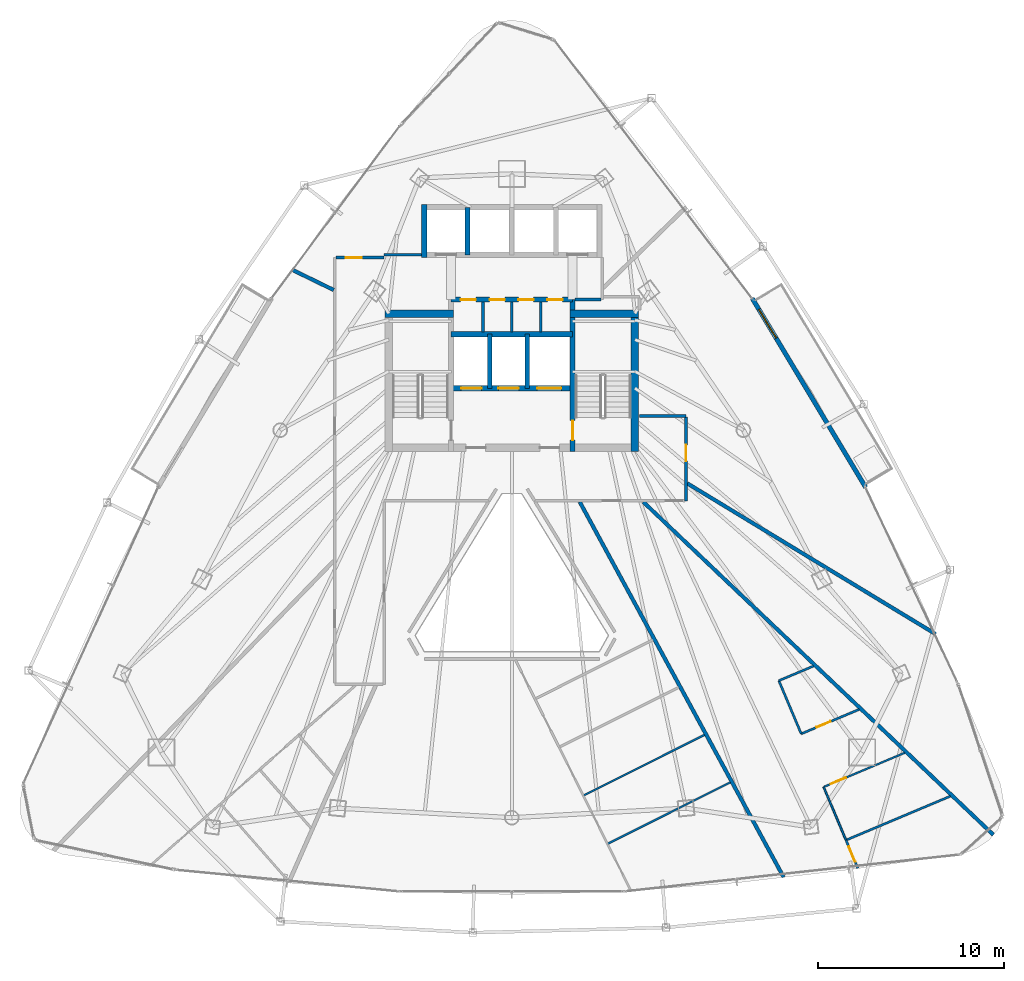
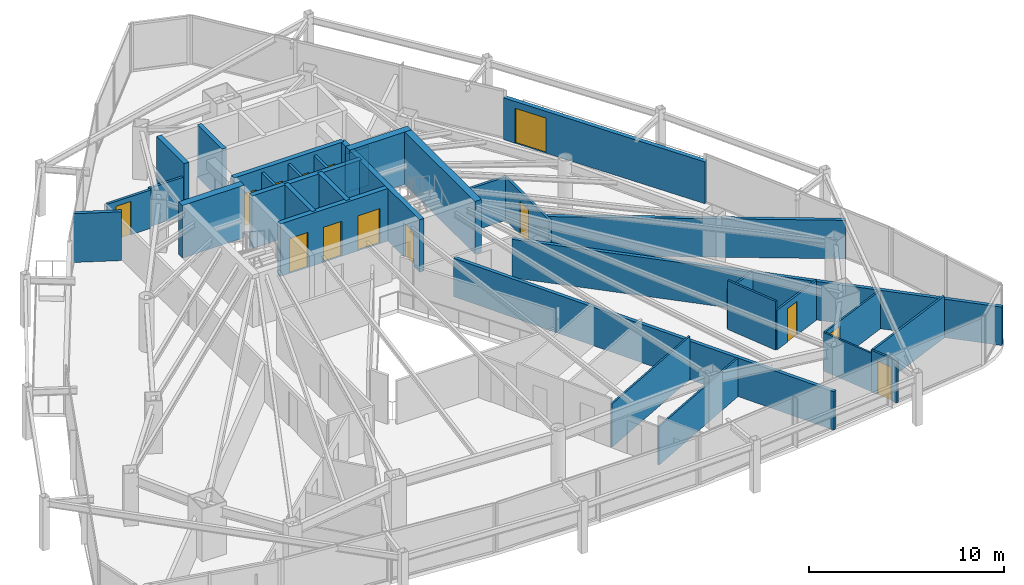
# One storey, part 27 of 31: 33 walls, 14 doors, 14 openings.
"""IFC4 building model written with IfcOpenShell, lengths in metres."""

from ifc_helpers import new_model, si_unit, direction, frame, frame_2d, origin, place, context, subcontext, project, spatial, rectangle, extrude, material, layer, layer_set, type_object, element, fill, save


model = new_model("IFC4")

# Units and contexts
model_context = context("Model", 3, precision=1e-05, world=origin(), true_north=direction((0.0, 1.0)))
body_context = subcontext(model_context, "Body", "Model", "MODEL_VIEW")
ifc_project = project(units=[si_unit("LENGTHUNIT", "METRE"), si_unit("AREAUNIT", "SQUARE_METRE"), si_unit("VOLUMEUNIT", "CUBIC_METRE"), si_unit("PLANEANGLEUNIT", "RADIAN"), si_unit("MASSUNIT", "GRAM", prefix="KILO")], contexts=[model_context])

# Site, building, storey
site_placement = place(None, origin())
site = spatial("IfcSite", under=ifc_project, at=site_placement, CompositionType="ELEMENT")
building_placement = place(site_placement, origin())
building = spatial("IfcBuilding", under=site, at=building_placement, Name="Orvanel Arch Residences", CompositionType="ELEMENT")
storey_placement = place(building_placement, frame((0.0, 0.0, 106.699951171875)))
storey = spatial("IfcBuildingStorey", under=building, at=storey_placement, Name="L29", CompositionType="ELEMENT", Elevation=106.699951171875)

# Wall, opening, door
ifc_material_1 = material(Name="Precast concrete N50 (50 MPa)", Category="concrete")
ifc_layer_1 = layer(ifc_material_1, 0.239990234375)
ifc_layer_set_1 = layer_set([ifc_layer_1], Name="Precast concrete N50 (50 MPa)")
wall_type_1 = type_object("IfcWallType", Name="EW-BAL-240", PredefinedType="SOLIDWALL", material=ifc_layer_set_1)
wall_1_placement = place(storey_placement, frame((51.9970703125, 24.56103515625, 0.0), z_axis=(0.0, 0.0, 1.0), x_axis=(-0.514362369366, 0.857572943242, 0.0)))
wall_1 = element("IfcWall", 1, at=wall_1_placement, inside=storey, type_object=wall_type_1, Name="L29 Balcony Threshold Wall Face 3", PredefinedType="SOLIDWALL", context=body_context, shape_type="SweptSolid", body=[
    extrude(rectangle(XDim=11.84375, YDim=0.239990234375, at=frame_2d((5.921875, 0.0))), origin(), (0.0, 0.0, 1.0), 2.6240234375),
])
opening_1_placement = place(wall_1_placement, frame((9.345947265625, 0.0, 0.0)))
opening_1 = element("IfcOpeningElement", 2, at=opening_1_placement, cuts=wall_1, Name="Opening DB-180", PredefinedType="OPENING", context=body_context, shape_type="SweptSolid", body=[
    extrude(rectangle(XDim=1.800048828125, YDim=2.199951171875, at=frame_2d((0.89990234375, 1.10009765625))), frame((0.0, 0.1298828125, 0.0), z_axis=(0.0, -1.0, 0.0), x_axis=(1.0, 0.0, 0.0)), (0.0, 0.0, 1.0), 0.260009765625),
])
ifc_material_2 = material(Name="Bronze-anodised aluminium AA6063-T6", Category="aluminium")
door_type_1 = type_object("IfcDoorType", Name="DR-BAL-1800", OperationType="NOTDEFINED", PredefinedType="DOOR", material=ifc_material_2)
door_1_placement = place(opening_1_placement, origin())
door_1 = element("IfcDoor", 3, at=door_1_placement, inside=storey, type_object=door_type_1, Name="DR-L29-BAL-F3 L29 Planted Balcony Access Door Face 3", OperationType="SINGLE_SWING_LEFT", OverallHeight=2.199951171875, OverallWidth=1.800048828125, PredefinedType="DOOR", context=body_context, shape_type="SweptSolid", body=[
    extrude(rectangle(XDim=1.800048828125, YDim=2.199951171875, at=frame_2d((0.89990234375, 1.10009765625))), frame((0.0, 0.02490234375, 0.0), z_axis=(0.0, -1.0, 0.0), x_axis=(1.0, 0.0, 0.0)), (0.0, 0.0, 1.0), 0.050048828125),
])
fill(opening_1, door_1)

# Walls
ifc_material_3 = material(Name="Concrete N50 (50 MPa)", Category="concrete")
ifc_layer_2 = layer(ifc_material_3, 0.25)
ifc_layer_set_2 = layer_set([ifc_layer_2], Name="Concrete N50 (50 MPa)")
wall_type_2 = type_object("IfcWallType", Name="SW-CORE-250", PredefinedType="SHEAR", material=ifc_layer_set_2)
for number, where, z_axis, x_axis, name in (
    (4, (31.824951171875, 29.889892578125, 0.0), (0.0, 0.0, 1.0), (0.0, 1.0, 0.0), "L29 Emergency Lift Inter-Shaft Wall F12"),
    (5, (33.824951171875, 29.889892578125, 0.0), (0.0, 0.0, 1.0), (0.0, 1.0, 0.0), "L29 Emergency Lift Inter-Shaft Wall F2G"),
):
    element("IfcWall", number, at=place(storey_placement, frame(where, z_axis=z_axis, x_axis=x_axis)), inside=storey, type_object=wall_type_2, Name=name, PredefinedType="SHEAR", context=body_context, shape_type="SweptSolid", body=[
        extrude(rectangle(XDim=2.900146484375, YDim=0.25, at=frame_2d((1.4501953125, 0.0))), origin(), (0.0, 0.0, 1.0), 3.300048828125),
    ])
wall_2_placement = place(storey_placement, frame((30.625, 37.050048828125, 0.0), z_axis=(0.0, 0.0, 1.0), x_axis=(0.0, 1.0, 0.0)))
element("IfcWall", 6, at=wall_2_placement, inside=storey, type_object=wall_type_2, Name="L29 Passenger Lift Inter-Shaft Wall P35", PredefinedType="SHEAR", context=body_context, shape_type="SweptSolid", body=[
    extrude(rectangle(XDim=2.550048828125, YDim=0.25, at=frame_2d((1.27490234375, 0.0))), origin(), (0.0, 0.0, 1.0), 3.300048828125),
])

# Wall, opening, door
ifc_material_4 = material(Name="Concrete S65 (65 MPa)", Category="concrete")
ifc_layer_3 = layer(ifc_material_4, 0.280029296875)
ifc_layer_set_3 = layer_set([ifc_layer_3], Name="Concrete S65 (65 MPa)")
wall_type_3 = type_object("IfcWallType", Name="SW-CORE-280", PredefinedType="SHEAR", material=ifc_layer_set_3)
wall_3_placement = place(storey_placement, frame((36.260009765625, 26.5, 0.0), z_axis=(0.0, 0.0, 1.0), x_axis=(0.0, 1.0, 0.0)))
wall_3 = element("IfcWall", 7, at=wall_3_placement, inside=storey, type_object=wall_type_3, Name="L29 East Inner Core Spine Shear Wall", PredefinedType="SHEAR", context=body_context, shape_type="SweptSolid", body=[
    extrude(rectangle(XDim=8.14990234375, YDim=0.280029296875, at=frame_2d((4.074951171875, 0.0))), origin(), (0.0, 0.0, 1.0), 3.300048828125),
])
opening_2_placement = place(wall_3_placement, frame((0.60009765625, 0.0, 0.0)))
opening_2 = element("IfcOpeningElement", 8, at=opening_2_placement, cuts=wall_3, Name="Opening DF-120", PredefinedType="OPENING", context=body_context, shape_type="SweptSolid", body=[
    extrude(rectangle(XDim=1.050048828125, YDim=2.14990234375, at=frame_2d((0.52490234375, 1.074951171875))), frame((0.0, 0.14990234375, 0.0), z_axis=(0.0, -1.0, 0.0), x_axis=(1.0, 0.0, 0.0)), (0.0, 0.0, 1.0), 0.300048828125),
])
ifc_material_5 = material(Name="Galvanised steel fire-resisting door assembly", Category="steel")
door_type_2 = type_object("IfcDoorType", Name="DR-FD120-1050", OperationType="NOTDEFINED", PredefinedType="DOOR", material=ifc_material_5)
door_2_placement = place(opening_2_placement, origin())
door_2 = element("IfcDoor", 9, at=door_2_placement, inside=storey, type_object=door_type_2, Name="DR-L29-ST2 L29 Stair 2 Fire Door", OperationType="SINGLE_SWING_RIGHT", OverallHeight=2.14990234375, OverallWidth=1.050048828125, PredefinedType="DOOR", context=body_context, shape_type="SweptSolid", body=[
    extrude(rectangle(XDim=1.050048828125, YDim=2.14990234375, at=frame_2d((0.52490234375, 1.074951171875))), frame((0.0, 0.02490234375, 0.0), z_axis=(0.0, -1.0, 0.0), x_axis=(1.0, 0.0, 0.0)), (0.0, 0.0, 1.0), 0.050048828125),
])
fill(opening_2, door_2)

# Wall, openings, doors
wall_4_placement = place(storey_placement, frame((36.260009765625, 29.889892578125, 0.0), z_axis=(0.0, 0.0, 1.0), x_axis=(-1.0, 0.0, 0.0)))
wall_4 = element("IfcWall", 10, at=wall_4_placement, inside=storey, type_object=wall_type_3, Name="L29 Emergency Lift Front Core Shear Wall", PredefinedType="SHEAR", context=body_context, shape_type="SweptSolid", body=[
    extrude(rectangle(XDim=6.52001953125, YDim=0.280029296875, at=frame_2d((3.260009765625, 0.0))), origin(), (0.0, 0.0, 1.0), 3.300048828125),
])
opening_3_placement = place(wall_4_placement, frame((4.875, 0.0, 0.0)))
opening_3 = element("IfcOpeningElement", 11, at=opening_3_placement, cuts=wall_4, Name="Opening LD-110", PredefinedType="OPENING", context=body_context, shape_type="SweptSolid", body=[
    extrude(rectangle(XDim=1.10009765625, YDim=2.199951171875, at=frame_2d((0.550048828125, 1.10009765625))), frame((0.0, 0.14990234375, 0.0), z_axis=(0.0, -1.0, 0.0), x_axis=(1.0, 0.0, 0.0)), (0.0, 0.0, 1.0), 0.300048828125),
])
opening_4_placement = place(wall_4_placement, frame((2.875, 0.0, 0.0)))
opening_4 = element("IfcOpeningElement", 12, at=opening_4_placement, cuts=wall_4, Name="Opening LD-110", PredefinedType="OPENING", context=body_context, shape_type="SweptSolid", body=[
    extrude(rectangle(XDim=1.10009765625, YDim=2.199951171875, at=frame_2d((0.550048828125, 1.10009765625))), frame((0.0, 0.14990234375, 0.0), z_axis=(0.0, -1.0, 0.0), x_axis=(1.0, 0.0, 0.0)), (0.0, 0.0, 1.0), 0.300048828125),
])
opening_5_placement = place(wall_4_placement, frame((0.60009765625, 0.0, 0.0)))
opening_5 = element("IfcOpeningElement", 13, at=opening_5_placement, cuts=wall_4, Name="Opening LD-130", PredefinedType="OPENING", context=body_context, shape_type="SweptSolid", body=[
    extrude(rectangle(XDim=1.300048828125, YDim=2.199951171875, at=frame_2d((0.64990234375, 1.10009765625))), frame((0.0, 0.14990234375, 0.0), z_axis=(0.0, -1.0, 0.0), x_axis=(1.0, 0.0, 0.0)), (0.0, 0.0, 1.0), 0.300048828125),
])
door_type_3 = type_object("IfcDoorType", Name="DR-LFT-1100", OperationType="NOTDEFINED", PredefinedType="DOOR", material=ifc_material_5)
door_3_placement = place(opening_3_placement, origin())
door_3 = element("IfcDoor", 14, at=door_3_placement, inside=storey, type_object=door_type_3, Name="LD-F1-L29 L29 Lift F1 Sliding Landing Door", OperationType="DOUBLE_DOOR_SLIDING", OverallHeight=2.199951171875, OverallWidth=1.10009765625, PredefinedType="DOOR", context=body_context, shape_type="SweptSolid", body=[
    extrude(rectangle(XDim=1.10009765625, YDim=2.199951171875, at=frame_2d((0.550048828125, 1.10009765625))), frame((0.0, 0.02490234375, 0.0), z_axis=(0.0, -1.0, 0.0), x_axis=(1.0, 0.0, 0.0)), (0.0, 0.0, 1.0), 0.050048828125),
])
fill(opening_3, door_3)
door_4_placement = place(opening_4_placement, origin())
door_4 = element("IfcDoor", 15, at=door_4_placement, inside=storey, type_object=door_type_3, Name="LD-F2-L29 L29 Lift F2 Sliding Landing Door", OperationType="DOUBLE_DOOR_SLIDING", OverallHeight=2.199951171875, OverallWidth=1.10009765625, PredefinedType="DOOR", context=body_context, shape_type="SweptSolid", body=[
    extrude(rectangle(XDim=1.10009765625, YDim=2.199951171875, at=frame_2d((0.550048828125, 1.10009765625))), frame((0.0, 0.02490234375, 0.0), z_axis=(0.0, -1.0, 0.0), x_axis=(1.0, 0.0, 0.0)), (0.0, 0.0, 1.0), 0.050048828125),
])
fill(opening_4, door_4)
door_type_4 = type_object("IfcDoorType", Name="DR-LFT-1300", OperationType="NOTDEFINED", PredefinedType="DOOR", material=ifc_material_5)
door_5_placement = place(opening_5_placement, origin())
door_5 = element("IfcDoor", 16, at=door_5_placement, inside=storey, type_object=door_type_4, Name="LD-G1-L29 L29 Lift G1 Sliding Landing Door", OperationType="DOUBLE_DOOR_SLIDING", OverallHeight=2.199951171875, OverallWidth=1.300048828125, PredefinedType="DOOR", context=body_context, shape_type="SweptSolid", body=[
    extrude(rectangle(XDim=1.300048828125, YDim=2.199951171875, at=frame_2d((0.64990234375, 1.10009765625))), frame((0.0, 0.02490234375, 0.0), z_axis=(0.0, -1.0, 0.0), x_axis=(1.0, 0.0, 0.0)), (0.0, 0.0, 1.0), 0.050048828125),
])
fill(opening_5, door_5)

# Wall
wall_5_placement = place(storey_placement, frame((29.739990234375, 32.7900390625, 0.0), z_axis=(0.0, 0.0, 1.0), x_axis=(1.0, 0.0, 0.0)))
element("IfcWall", 17, at=wall_5_placement, inside=storey, type_object=wall_type_3, Name="L29 Emergency Lift Back Core Shear Wall", PredefinedType="SHEAR", context=body_context, shape_type="SweptSolid", body=[
    extrude(rectangle(XDim=6.52001953125, YDim=0.280029296875, at=frame_2d((3.260009765625, 0.0))), origin(), (0.0, 0.0, 1.0), 3.300048828125),
])

# Wall, openings, doors
wall_6_placement = place(storey_placement, frame((29.739990234375, 34.64990234375, 0.0), z_axis=(0.0, 0.0, 1.0), x_axis=(1.0, 0.0, 0.0)))
wall_6 = element("IfcWall", 18, at=wall_6_placement, inside=storey, type_object=wall_type_3, Name="L29 Core Service Band North Shear Wall", PredefinedType="SHEAR", context=body_context, shape_type="SweptSolid", body=[
    extrude(rectangle(XDim=6.52001953125, YDim=0.280029296875, at=frame_2d((3.260009765625, 0.0))), origin(), (0.0, 0.0, 1.0), 3.300048828125),
])
opening_6_placement = place(wall_6_placement, frame((0.514892578125, 0.0, 0.0)))
opening_6 = element("IfcOpeningElement", 19, at=opening_6_placement, cuts=wall_6, Name="Opening DS-082", PredefinedType="OPENING", context=body_context, shape_type="SweptSolid", body=[
    extrude(rectangle(XDim=0.820068359375, YDim=2.10009765625, at=frame_2d((0.41015625, 1.050048828125))), frame((0.0, 0.14990234375, 0.0), z_axis=(0.0, -1.0, 0.0), x_axis=(1.0, 0.0, 0.0)), (0.0, 0.0, 1.0), 0.300048828125),
])
opening_7_placement = place(wall_6_placement, frame((2.06494140625, 0.0, 0.0)))
opening_7 = element("IfcOpeningElement", 20, at=opening_7_placement, cuts=wall_6, Name="Opening DS-082", PredefinedType="OPENING", context=body_context, shape_type="SweptSolid", body=[
    extrude(rectangle(XDim=0.820068359375, YDim=2.10009765625, at=frame_2d((0.41015625, 1.050048828125))), frame((0.0, 0.14990234375, 0.0), z_axis=(0.0, -1.0, 0.0), x_axis=(1.0, 0.0, 0.0)), (0.0, 0.0, 1.0), 0.300048828125),
])
opening_8_placement = place(wall_6_placement, frame((3.614990234375, 0.0, 0.0)))
opening_8 = element("IfcOpeningElement", 21, at=opening_8_placement, cuts=wall_6, Name="Opening DS-082", PredefinedType="OPENING", context=body_context, shape_type="SweptSolid", body=[
    extrude(rectangle(XDim=0.820068359375, YDim=2.10009765625, at=frame_2d((0.41015625, 1.050048828125))), frame((0.0, 0.14990234375, 0.0), z_axis=(0.0, -1.0, 0.0), x_axis=(1.0, 0.0, 0.0)), (0.0, 0.0, 1.0), 0.300048828125),
])
opening_9_placement = place(wall_6_placement, frame((5.1650390625, 0.0, 0.0)))
opening_9 = element("IfcOpeningElement", 22, at=opening_9_placement, cuts=wall_6, Name="Opening DS-082", PredefinedType="OPENING", context=body_context, shape_type="SweptSolid", body=[
    extrude(rectangle(XDim=0.820068359375, YDim=2.10009765625, at=frame_2d((0.41015625, 1.050048828125))), frame((0.0, 0.14990234375, 0.0), z_axis=(0.0, -1.0, 0.0), x_axis=(1.0, 0.0, 0.0)), (0.0, 0.0, 1.0), 0.300048828125),
])
door_type_5 = type_object("IfcDoorType", Name="DR-SVC-820", OperationType="NOTDEFINED", PredefinedType="DOOR", material=ifc_material_5)
door_6_placement = place(opening_6_placement, origin())
door_6 = element("IfcDoor", 23, at=door_6_placement, inside=storey, type_object=door_type_5, Name="DR-L29-CSVC-1 L29 Linen Store Door", OperationType="SINGLE_SWING_LEFT", OverallHeight=2.10009765625, OverallWidth=0.820068359375, PredefinedType="DOOR", context=body_context, shape_type="SweptSolid", body=[
    extrude(rectangle(XDim=0.820068359375, YDim=2.10009765625, at=frame_2d((0.41015625, 1.050048828125))), frame((0.0, 0.02490234375, 0.0), z_axis=(0.0, -1.0, 0.0), x_axis=(1.0, 0.0, 0.0)), (0.0, 0.0, 1.0), 0.050048828125),
])
fill(opening_6, door_6)
door_7_placement = place(opening_7_placement, origin())
door_7 = element("IfcDoor", 24, at=door_7_placement, inside=storey, type_object=door_type_5, Name="DR-L29-CSVC-2 L29 Cleaner's Store Door", OperationType="SINGLE_SWING_LEFT", OverallHeight=2.10009765625, OverallWidth=0.820068359375, PredefinedType="DOOR", context=body_context, shape_type="SweptSolid", body=[
    extrude(rectangle(XDim=0.820068359375, YDim=2.10009765625, at=frame_2d((0.41015625, 1.050048828125))), frame((0.0, 0.02490234375, 0.0), z_axis=(0.0, -1.0, 0.0), x_axis=(1.0, 0.0, 0.0)), (0.0, 0.0, 1.0), 0.050048828125),
])
fill(opening_7, door_7)
door_8_placement = place(opening_8_placement, origin())
door_8 = element("IfcDoor", 25, at=door_8_placement, inside=storey, type_object=door_type_5, Name="DR-L29-CSVC-3 L29 Electrical Meter Store Door", OperationType="SINGLE_SWING_LEFT", OverallHeight=2.10009765625, OverallWidth=0.820068359375, PredefinedType="DOOR", context=body_context, shape_type="SweptSolid", body=[
    extrude(rectangle(XDim=0.820068359375, YDim=2.10009765625, at=frame_2d((0.41015625, 1.050048828125))), frame((0.0, 0.02490234375, 0.0), z_axis=(0.0, -1.0, 0.0), x_axis=(1.0, 0.0, 0.0)), (0.0, 0.0, 1.0), 0.050048828125),
])
fill(opening_8, door_8)
door_9_placement = place(opening_9_placement, origin())
door_9 = element("IfcDoor", 26, at=door_9_placement, inside=storey, type_object=door_type_5, Name="DR-L29-CSVC-4 L29 Housekeeping Supply Store Door", OperationType="SINGLE_SWING_LEFT", OverallHeight=2.10009765625, OverallWidth=0.820068359375, PredefinedType="DOOR", context=body_context, shape_type="SweptSolid", body=[
    extrude(rectangle(XDim=0.820068359375, YDim=2.10009765625, at=frame_2d((0.41015625, 1.050048828125))), frame((0.0, 0.02490234375, 0.0), z_axis=(0.0, -1.0, 0.0), x_axis=(1.0, 0.0, 0.0)), (0.0, 0.0, 1.0), 0.050048828125),
])
fill(opening_9, door_9)

# Walls
wall_7_placement = place(storey_placement, frame((28.300048828125, 36.909912109375, 0.0), z_axis=(0.0, 0.0, 1.0), x_axis=(0.0, 1.0, 0.0)))
element("IfcWall", 27, at=wall_7_placement, inside=storey, type_object=wall_type_3, Name="L29 Passenger Lift Bank West Shear Wall", PredefinedType="SHEAR", context=body_context, shape_type="SweptSolid", body=[
    extrude(rectangle(XDim=2.830078125, YDim=0.280029296875, at=frame_2d((1.4150390625, 0.0))), origin(), (0.0, 0.0, 1.0), 3.300048828125),
])
ifc_layer_4 = layer(ifc_material_4, 0.39990234375)
ifc_layer_set_4 = layer_set([ifc_layer_4], Name="Concrete S65 (65 MPa)")
wall_type_4 = type_object("IfcWallType", Name="SW-CORE-400", PredefinedType="SHEAR", material=ifc_layer_set_4)
wall_8_placement = place(storey_placement, frame((26.199951171875, 33.89990234375, 0.0), z_axis=(0.0, 0.0, 1.0), x_axis=(1.0, 0.0, 0.0)))
element("IfcWall", 28, at=wall_8_placement, inside=storey, type_object=wall_type_4, Name="L29 West Stair North Shear Wall", PredefinedType="SHEAR", context=body_context, shape_type="SweptSolid", body=[
    extrude(rectangle(XDim=3.679931640625, YDim=0.39990234375, at=frame_2d((1.83984375, 0.0))), origin(), (0.0, 0.0, 1.0), 3.300048828125),
])
wall_9_placement = place(storey_placement, frame((39.60009765625, 26.5, 0.0), z_axis=(0.0, 0.0, 1.0), x_axis=(0.0, 1.0, 0.0)))
element("IfcWall", 29, at=wall_9_placement, inside=storey, type_object=wall_type_4, Name="L29 East Stair Shear Wall", PredefinedType="SHEAR", context=body_context, shape_type="SweptSolid", body=[
    extrude(rectangle(XDim=7.60009765625, YDim=0.39990234375, at=frame_2d((3.800048828125, 0.0))), origin(), (0.0, 0.0, 1.0), 3.300048828125),
])
wall_10_placement = place(storey_placement, frame((36.1201171875, 33.89990234375, 0.0), z_axis=(0.0, 0.0, 1.0), x_axis=(1.0, 0.0, 0.0)))
element("IfcWall", 30, at=wall_10_placement, inside=storey, type_object=wall_type_4, Name="L29 East Stair North Shear Wall", PredefinedType="SHEAR", context=body_context, shape_type="SweptSolid", body=[
    extrude(rectangle(XDim=3.679931640625, YDim=0.39990234375, at=frame_2d((1.83984375, 0.0))), origin(), (0.0, 0.0, 1.0), 3.300048828125),
])
ifc_material_6 = material(Name="Fire-rated plasterboard lined steel stud partition", Category="steel")
ifc_layer_5 = layer(ifc_material_6, 0.14990234375)
ifc_layer_set_5 = layer_set([ifc_layer_5], Name="Fire-rated plasterboard lined steel stud partition")
wall_type_5 = type_object("IfcWallType", Name="W-COR-150", PredefinedType="PARTITIONING", material=ifc_layer_set_5)
wall_11_placement = place(storey_placement, frame((36.385009765625, 34.64990234375, 0.0), z_axis=(0.0, 0.0, 1.0), x_axis=(1.0, 0.0, 0.0)))
element("IfcWall", 31, at=wall_11_placement, inside=storey, type_object=wall_type_5, Name="L29 Passenger Lift Lobby South-East Wall", PredefinedType="PARTITIONING", context=body_context, shape_type="SweptSolid", body=[
    extrude(rectangle(XDim=1.405029296875, YDim=0.14990234375, at=frame_2d((0.70263671875, 0.0))), origin(), (0.0, 0.0, 1.0), 2.425048828125),
])

# Wall, opening, door
wall_12_placement = place(storey_placement, frame((23.56005859375, 36.89990234375, 0.0), z_axis=(0.0, 0.0, 1.0), x_axis=(1.0, 0.0, 0.0)))
wall_12 = element("IfcWall", 32, at=wall_12_placement, inside=storey, type_object=wall_type_5, Name="L29 Corridor Fire-Rated Partition", PredefinedType="PARTITIONING", context=body_context, shape_type="SweptSolid", body=[
    extrude(rectangle(XDim=2.58984375, YDim=0.14990234375, at=frame_2d((1.294921875, 0.0))), origin(), (0.0, 0.0, 1.0), 2.4130859375),
])
opening_10_placement = place(wall_12_placement, frame((0.514892578125, 0.0, 0.0)))
opening_10 = element("IfcOpeningElement", 33, at=opening_10_placement, cuts=wall_12, Name="Opening DI-088", PredefinedType="OPENING", context=body_context, shape_type="SweptSolid", body=[
    extrude(rectangle(XDim=0.8798828125, YDim=2.10009765625, at=frame_2d((0.43994140625, 1.050048828125))), frame((0.0, 0.0849609375, 0.0), z_axis=(0.0, -1.0, 0.0), x_axis=(1.0, 0.0, 0.0)), (0.0, 0.0, 1.0), 0.169921875),
])
ifc_material_7 = material(Name="Solid-core European oak veneer fire door leaf", Category="wood")
door_type_6 = type_object("IfcDoorType", Name="DR-INT-880", OperationType="NOTDEFINED", PredefinedType="DOOR", material=ifc_material_7)
door_10_placement = place(opening_10_placement, origin())
door_10 = element("IfcDoor", 34, at=door_10_placement, inside=storey, type_object=door_type_6, Name="DR-L29-SHRD-FB6 L29 Co-Working Study Office F Door", OperationType="SINGLE_SWING_LEFT", OverallHeight=2.10009765625, OverallWidth=0.8798828125, PredefinedType="DOOR", context=body_context, shape_type="SweptSolid", body=[
    extrude(rectangle(XDim=0.8798828125, YDim=2.10009765625, at=frame_2d((0.43994140625, 1.050048828125))), frame((0.0, 0.02490234375, 0.0), z_axis=(0.0, -1.0, 0.0), x_axis=(1.0, 0.0, 0.0)), (0.0, 0.0, 1.0), 0.050048828125),
])
fill(opening_10, door_10)

# Wall
wall_13_placement = place(storey_placement, frame((39.85009765625, 28.39990234375, 0.0), z_axis=(0.0, 0.0, 1.0), x_axis=(1.0, 0.0, 0.0)))
element("IfcWall", 35, at=wall_13_placement, inside=storey, type_object=wall_type_5, Name="L29 Corridor Fire-Rated Partition", PredefinedType="PARTITIONING", context=body_context, shape_type="SweptSolid", body=[
    extrude(rectangle(XDim=2.5, YDim=0.14990234375, at=frame_2d((1.25, 0.0))), origin(), (0.0, 0.0, 1.0), 2.720947265625),
])

# Wall, opening, door
wall_14_placement = place(storey_placement, frame((42.35009765625, 28.340087890625, 0.0), z_axis=(0.0, 0.0, 1.0), x_axis=(0.0, -1.0, 0.0)))
wall_14 = element("IfcWall", 36, at=wall_14_placement, inside=storey, type_object=wall_type_5, Name="L29 Corridor Fire-Rated Partition", PredefinedType="PARTITIONING", context=body_context, shape_type="SweptSolid", body=[
    extrude(rectangle(XDim=4.489990234375, YDim=0.14990234375, at=frame_2d((2.2451171875, 0.0))), origin(), (0.0, 0.0, 1.0), 2.720947265625),
])
opening_11_placement = place(wall_14_placement, frame((1.486083984375, 0.0, 0.0)))
opening_11 = element("IfcOpeningElement", 37, at=opening_11_placement, cuts=wall_14, Name="Opening DI-088", PredefinedType="OPENING", context=body_context, shape_type="SweptSolid", body=[
    extrude(rectangle(XDim=0.8798828125, YDim=2.10009765625, at=frame_2d((0.43994140625, 1.050048828125))), frame((0.0, 0.0849609375, 0.0), z_axis=(0.0, -1.0, 0.0), x_axis=(1.0, 0.0, 0.0)), (0.0, 0.0, 1.0), 0.169921875),
])
door_11_placement = place(opening_11_placement, origin())
door_11 = element("IfcDoor", 38, at=door_11_placement, inside=storey, type_object=door_type_6, Name="DR-L29-SHRD-FB4 L29 Co-Working Study Office D Door", OperationType="SINGLE_SWING_LEFT", OverallHeight=2.10009765625, OverallWidth=0.8798828125, PredefinedType="DOOR", context=body_context, shape_type="SweptSolid", body=[
    extrude(rectangle(XDim=0.8798828125, YDim=2.10009765625, at=frame_2d((0.43994140625, 1.050048828125))), frame((0.0, 0.02490234375, 0.0), z_axis=(0.0, -1.0, 0.0), x_axis=(1.0, 0.0, 0.0)), (0.0, 0.0, 1.0), 0.050048828125),
])
fill(opening_11, door_11)

# Walls
wall_15_placement = place(storey_placement, frame((26.14990234375, 37.050048828125, 0.0), z_axis=(0.0, 0.0, 1.0), x_axis=(1.0, 0.0, 0.0)))
element("IfcWall", 39, at=wall_15_placement, inside=storey, type_object=wall_type_5, Name="L29 Core Perimeter Partition", PredefinedType="PARTITIONING", context=body_context, shape_type="SweptSolid", body=[
    extrude(rectangle(XDim=2.0, YDim=0.14990234375, at=frame_2d((1.0, 0.0))), origin(), (0.0, 0.0, 1.0), 2.4130859375),
])
ifc_layer_6 = layer(ifc_material_6, 0.199951171875)
ifc_layer_set_6 = layer_set([ifc_layer_6], Name="Fire-rated plasterboard lined steel stud partition")
wall_type_6 = type_object("IfcWallType", Name="W-DEM-200", PredefinedType="PARTITIONING", material=ifc_layer_set_6)
wall_16_placement = place(storey_placement, frame((36.64599609375, 23.7900390625, 0.0), z_axis=(0.0, 0.0, 1.0), x_axis=(0.477391569207, -0.878690667784, 0.0)))
element("IfcWall", 40, at=wall_16_placement, inside=storey, type_object=wall_type_6, Name="L29 Inter-Tenancy Acoustic Demising Wall", PredefinedType="PARTITIONING", context=body_context, shape_type="SweptSolid", body=[
    extrude(rectangle(XDim=22.918212890625, YDim=0.199951171875, at=frame_2d((11.458984375, 0.0))), origin(), (0.0, 0.0, 1.0), 2.4130859375),
])
wall_17_placement = place(storey_placement, frame((21.215087890625, 36.248046875, 0.0), z_axis=(0.0, 0.0, 1.0), x_axis=(0.898821522371, -0.438314808012, 0.0)))
element("IfcWall", 41, at=wall_17_placement, inside=storey, type_object=wall_type_6, Name="L29 Inter-Tenancy Acoustic Demising Wall", PredefinedType="PARTITIONING", context=body_context, shape_type="SweptSolid", body=[
    extrude(rectangle(XDim=2.475341796875, YDim=0.199951171875, at=frame_2d((1.23779296875, 0.0))), origin(), (0.0, 0.0, 1.0), 3.06005859375),
])
wall_18_placement = place(storey_placement, frame((40.055908203125, 23.7900390625, 0.0), z_axis=(0.0, 0.0, 1.0), x_axis=(0.724633427165, -0.68913452695, 0.0)))
element("IfcWall", 42, at=wall_18_placement, inside=storey, type_object=wall_type_6, Name="L29 Inter-Tenancy Acoustic Demising Wall", PredefinedType="PARTITIONING", context=body_context, shape_type="SweptSolid", body=[
    extrude(rectangle(XDim=25.9208984375, YDim=0.199951171875, at=frame_2d((12.96044921875, 0.0))), origin(), (0.0, 0.0, 1.0), 2.4130859375),
])
wall_19_placement = place(storey_placement, frame((55.7529296875, 16.69189453125, 0.0), z_axis=(0.0, 0.0, 1.0), x_axis=(-0.85489976131, 0.518793213248, 0.0)))
element("IfcWall", 43, at=wall_19_placement, inside=storey, type_object=wall_type_6, Name="L29 Inter-Tenancy Acoustic Demising Wall", PredefinedType="PARTITIONING", context=body_context, shape_type="SweptSolid", body=[
    extrude(rectangle(XDim=15.607666015625, YDim=0.199951171875, at=frame_2d((7.8037109375, 0.0))), origin(), (0.0, 0.0, 1.0), 2.4130859375),
])
ifc_material_8 = material(Name="Acoustic plasterboard lined twin-stud partition", Category="gypsum")
ifc_layer_7 = layer(ifc_material_8, 0.10009765625)
ifc_layer_set_7 = layer_set([ifc_layer_7], Name="Acoustic plasterboard lined twin-stud partition")
wall_type_7 = type_object("IfcWallType", Name="W-INT-100", PredefinedType="PARTITIONING", material=ifc_layer_set_7)
wall_20_placement = place(storey_placement, frame((38.134033203125, 5.43701171875, 0.0), z_axis=(0.0, 0.0, 1.0), x_axis=(0.894182030014, 0.447703581849, 0.0)))
element("IfcWall", 44, at=wall_20_placement, inside=storey, type_object=wall_type_7, Name="L29 Studio A Internal Partition", PredefinedType="PARTITIONING", context=body_context, shape_type="SweptSolid", body=[
    extrude(rectangle(XDim=7.373291015625, YDim=0.10009765625, at=frame_2d((3.6865234375, 0.0))), origin(), (0.0, 0.0, 1.0), 2.4130859375),
])
wall_21_placement = place(storey_placement, frame((36.8359375, 8.030029296875, 0.0), z_axis=(0.0, 0.0, 1.0), x_axis=(0.894205618721, 0.447656465884, 0.0)))
element("IfcWall", 45, at=wall_21_placement, inside=storey, type_object=wall_type_7, Name="L29 Studio A Internal Partition", PredefinedType="PARTITIONING", context=body_context, shape_type="SweptSolid", body=[
    extrude(rectangle(XDim=7.27587890625, YDim=0.10009765625, at=frame_2d((3.637939453125, 0.0))), origin(), (0.0, 0.0, 1.0), 2.720947265625),
])

# Wall, opening, door
wall_22_placement = place(storey_placement, frame((54.090087890625, 10.325927734375, 0.0), z_axis=(0.0, 0.0, 1.0), x_axis=(-0.921538100995, -0.388287945234, 0.0)))
wall_22 = element("IfcWall", 46, at=wall_22_placement, inside=storey, type_object=wall_type_7, Name="L29 Studio C Internal Partition", PredefinedType="PARTITIONING", context=body_context, shape_type="SweptSolid", body=[
    extrude(rectangle(XDim=4.725830078125, YDim=0.10009765625, at=frame_2d((2.36279296875, 0.0))), origin(), (0.0, 0.0, 1.0), 2.4130859375),
])
opening_12_placement = place(wall_22_placement, frame((3.428955078125, 0.0, 0.0)))
opening_12 = element("IfcOpeningElement", 47, at=opening_12_placement, cuts=wall_22, Name="Opening DI-088", PredefinedType="OPENING", context=body_context, shape_type="SweptSolid", body=[
    extrude(rectangle(XDim=0.8798828125, YDim=2.10009765625, at=frame_2d((0.43994140625, 1.050048828125))), frame((0.0, 0.06005859375, 0.0), z_axis=(0.0, -1.0, 0.0), x_axis=(1.0, 0.0, 0.0)), (0.0, 0.0, 1.0), 0.1201171875),
])
door_12_placement = place(opening_12_placement, origin())
door_12 = element("IfcDoor", 48, at=door_12_placement, inside=storey, type_object=door_type_6, Name="DR-L29-C-DIN1 L29 Studio C Dining Room 1 Door", OperationType="SINGLE_SWING_LEFT", OverallHeight=2.10009765625, OverallWidth=0.8798828125, PredefinedType="DOOR", context=body_context, shape_type="SweptSolid", body=[
    extrude(rectangle(XDim=0.8798828125, YDim=2.10009765625, at=frame_2d((0.43994140625, 1.050048828125))), frame((0.0, 0.02490234375, 0.0), z_axis=(0.0, -1.0, 0.0), x_axis=(1.0, 0.0, 0.0)), (0.0, 0.0, 1.0), 0.050048828125),
])
fill(opening_12, door_12)

# Walls
wall_23_placement = place(storey_placement, frame((49.735107421875, 8.490966796875, 0.0), z_axis=(0.0, 0.0, 1.0), x_axis=(0.388074634892, -0.921627949746, 0.0)))
element("IfcWall", 49, at=wall_23_placement, inside=storey, type_object=wall_type_7, Name="L29 Studio C Internal Partition", PredefinedType="PARTITIONING", context=body_context, shape_type="SweptSolid", body=[
    extrude(rectangle(XDim=3.094482421875, YDim=0.10009765625, at=frame_2d((1.54736328125, 0.0))), origin(), (0.0, 0.0, 1.0), 2.4130859375),
])
ifc_layer_8 = layer(ifc_material_6, 0.14990234375)
ifc_layer_set_8 = layer_set([ifc_layer_8], Name="Fire-rated plasterboard lined steel stud partition")
wall_type_8 = type_object("IfcWallType", Name="W-ST-150", PredefinedType="PARTITIONING", material=ifc_layer_set_8)
for number, where, z_axis, x_axis, name in (
    (50, (31.449951171875, 32.9150390625, 0.0), (0.0, 0.0, 1.0), (0.0, 1.0, 0.0), "L29 Core Service Partition 1"),
    (51, (33.0, 32.9150390625, 0.0), (0.0, 0.0, 1.0), (0.0, 1.0, 0.0), "L29 Core Service Partition 2"),
    (52, (34.550048828125, 32.9150390625, 0.0), (0.0, 0.0, 1.0), (0.0, 1.0, 0.0), "L29 Core Service Partition 3"),
):
    element("IfcWall", number, at=place(storey_placement, frame(where, z_axis=z_axis, x_axis=x_axis)), inside=storey, type_object=wall_type_8, Name=name, PredefinedType="PARTITIONING", context=body_context, shape_type="SweptSolid", body=[
        extrude(rectangle(XDim=1.60986328125, YDim=0.14990234375, at=frame_2d((0.804931640625, 0.0))), origin(), (0.0, 0.0, 1.0), 3.06005859375),
    ])
ifc_layer_9 = layer(ifc_material_8, 0.1201171875)
ifc_layer_set_9 = layer_set([ifc_layer_9], Name="Acoustic plasterboard lined twin-stud partition")
wall_type_9 = type_object("IfcWallType", Name="W-WET-120", PredefinedType="PARTITIONING", material=ifc_layer_set_9)
wall_24_placement = place(storey_placement, frame((49.195068359375, 14.98193359375, 0.0), z_axis=(0.0, 0.0, 1.0), x_axis=(-0.921624013763, -0.38808398222, 0.0)))
element("IfcWall", 53, at=wall_24_placement, inside=storey, type_object=wall_type_9, Name="L29 Studio C Bathroom Partition", PredefinedType="PARTITIONING", context=body_context, shape_type="SweptSolid", body=[
    extrude(rectangle(XDim=2.0224609375, YDim=0.1201171875, at=frame_2d((1.01123046875, 0.0))), origin(), (0.0, 0.0, 1.0), 2.491943359375),
])
wall_25_placement = place(storey_placement, frame((47.3310546875, 14.197021484375, 0.0), z_axis=(0.0, 0.0, 1.0), x_axis=(0.388229743903, -0.921562621827, 0.0)))
element("IfcWall", 54, at=wall_25_placement, inside=storey, type_object=wall_type_9, Name="L29 Studio C Bathroom Partition", PredefinedType="PARTITIONING", context=body_context, shape_type="SweptSolid", body=[
    extrude(rectangle(XDim=3.095947265625, YDim=0.1201171875, at=frame_2d((1.5478515625, 0.0))), origin(), (0.0, 0.0, 1.0), 3.06005859375),
])

# Wall, opening, door
wall_26_placement = place(storey_placement, frame((48.532958984375, 11.343994140625, 0.0), z_axis=(0.0, 0.0, 1.0), x_axis=(0.921534547548, 0.388296378653, 0.0)))
wall_26 = element("IfcWall", 55, at=wall_26_placement, inside=storey, type_object=wall_type_9, Name="L29 Studio C Bathroom Partition", PredefinedType="PARTITIONING", context=body_context, shape_type="SweptSolid", body=[
    extrude(rectangle(XDim=3.373779296875, YDim=0.1201171875, at=frame_2d((1.68701171875, 0.0))), origin(), (0.0, 0.0, 1.0), 2.491943359375),
])
opening_13_placement = place(wall_26_placement, frame((0.89404296875, 0.0, 0.0)))
opening_13 = element("IfcOpeningElement", 56, at=opening_13_placement, cuts=wall_26, Name="Opening DW-082", PredefinedType="OPENING", context=body_context, shape_type="SweptSolid", body=[
    extrude(rectangle(XDim=0.820068359375, YDim=2.10009765625, at=frame_2d((0.41015625, 1.050048828125))), frame((0.0, 0.070068359375, 0.0), z_axis=(0.0, -1.0, 0.0), x_axis=(1.0, 0.0, 0.0)), (0.0, 0.0, 1.0), 0.14013671875),
])
door_type_7 = type_object("IfcDoorType", Name="DR-WET-820", OperationType="NOTDEFINED", PredefinedType="DOOR", material=ifc_material_7)
door_13_placement = place(opening_13_placement, origin())
door_13 = element("IfcDoor", 57, at=door_13_placement, inside=storey, type_object=door_type_7, Name="DR-L29-C-BATH L29 Studio C Bathroom Door", OperationType="SINGLE_SWING_RIGHT", OverallHeight=2.10009765625, OverallWidth=0.820068359375, PredefinedType="DOOR", context=body_context, shape_type="SweptSolid", body=[
    extrude(rectangle(XDim=0.820068359375, YDim=2.10009765625, at=frame_2d((0.41015625, 1.050048828125))), frame((0.0, 0.02490234375, 0.0), z_axis=(0.0, -1.0, 0.0), x_axis=(1.0, 0.0, 0.0)), (0.0, 0.0, 1.0), 0.050048828125),
])
fill(opening_13, door_13)

wall_27_placement = place(storey_placement, frame((50.93603515625, 5.638916015625, 0.0), z_axis=(0.0, 0.0, 1.0), x_axis=(0.3883160894, -0.92152624201, 0.0)))
wall_27 = element("IfcWall", 58, at=wall_27_placement, inside=storey, type_object=wall_type_9, Name="L29 Studio C Internal Partition", PredefinedType="PARTITIONING", context=body_context, shape_type="SweptSolid", body=[
    extrude(rectangle(XDim=1.642822265625, YDim=0.1201171875, at=frame_2d((0.8212890625, 0.0))), origin(), (0.0, 0.0, 1.0), 2.619140625),
])
opening_14_placement = place(wall_27_placement, frame((0.381103515625, 0.0, 0.0)))
opening_14 = element("IfcOpeningElement", 59, at=opening_14_placement, cuts=wall_27, Name="Opening DI-088", PredefinedType="OPENING", context=body_context, shape_type="SweptSolid", body=[
    extrude(rectangle(XDim=0.8798828125, YDim=2.10009765625, at=frame_2d((0.43994140625, 1.050048828125))), frame((0.0, 0.070068359375, 0.0), z_axis=(0.0, -1.0, 0.0), x_axis=(1.0, 0.0, 0.0)), (0.0, 0.0, 1.0), 0.14013671875),
])
door_14_placement = place(opening_14_placement, origin())
door_14 = element("IfcDoor", 60, at=door_14_placement, inside=storey, type_object=door_type_6, Name="DR-L29-C-KIT L29 Studio C Kitchenette Door", OperationType="SINGLE_SWING_LEFT", OverallHeight=2.10009765625, OverallWidth=0.8798828125, PredefinedType="DOOR", context=body_context, shape_type="SweptSolid", body=[
    extrude(rectangle(XDim=0.8798828125, YDim=2.10009765625, at=frame_2d((0.43994140625, 1.050048828125))), frame((0.0, 0.02490234375, 0.0), z_axis=(0.0, -1.0, 0.0), x_axis=(1.0, 0.0, 0.0)), (0.0, 0.0, 1.0), 0.050048828125),
])
fill(opening_14, door_14)

# Wall
wall_28_placement = place(storey_placement, frame((50.93603515625, 5.638916015625, 0.0), z_axis=(0.0, 0.0, 1.0), x_axis=(0.921613448603, 0.388109071466, 0.0)))
element("IfcWall", 61, at=wall_28_placement, inside=storey, type_object=wall_type_9, Name="L29 Studio C Internal Partition", PredefinedType="PARTITIONING", context=body_context, shape_type="SweptSolid", body=[
    extrude(rectangle(XDim=6.07861328125, YDim=0.1201171875, at=frame_2d((3.039306640625, 0.0))), origin(), (0.0, 0.0, 1.0), 2.619140625),
])

save(model, "model.ifc")
